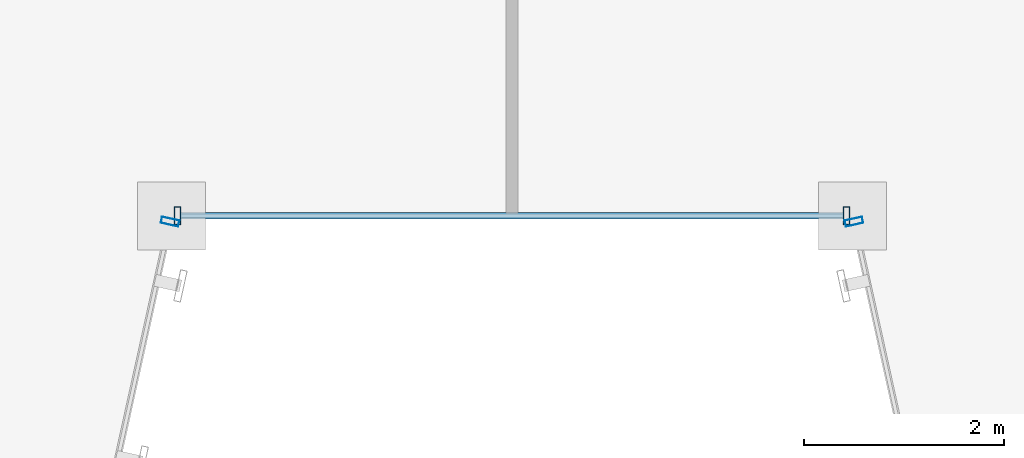
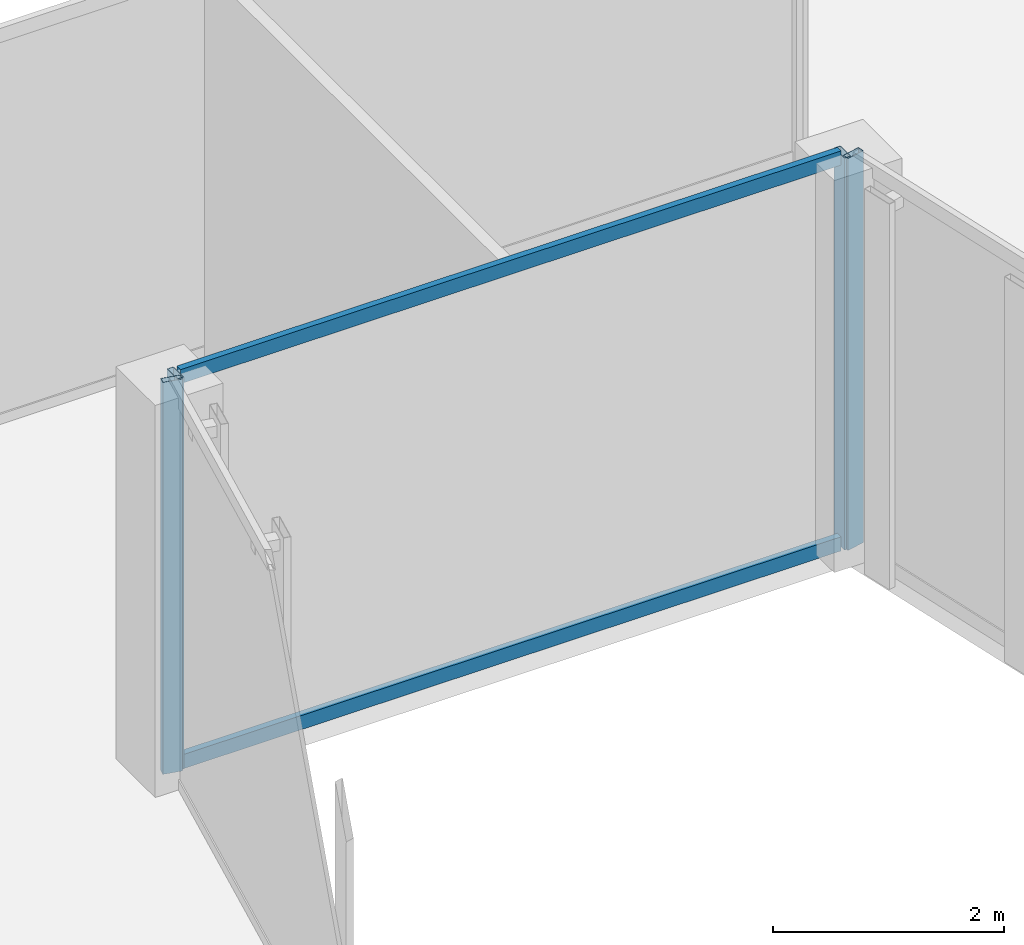
# One storey, part 9 of 47: 6 members, 3 elements without a shape of their own.
"""IFC4 building model written with IfcOpenShell, lengths in metres."""

from ifc_helpers import new_model, si_unit, direction, frame, origin, origin_2d, place, context, subcontext, project, spatial, hollow_rectangle, extrude, material, material_profile, profile_set, type_object, element, aggregate, save


model = new_model("IFC4")

# Units and contexts
model_context = context("Model", 3, precision=1e-05, world=origin(), true_north=direction((0.0, 1.0)))
body_context = subcontext(model_context, "Body", "Model", "MODEL_VIEW")
ifc_project = project(units=[si_unit("LENGTHUNIT", "METRE"), si_unit("AREAUNIT", "SQUARE_METRE"), si_unit("VOLUMEUNIT", "CUBIC_METRE"), si_unit("PLANEANGLEUNIT", "RADIAN"), si_unit("MASSUNIT", "GRAM", prefix="KILO")], contexts=[model_context])

# Site, building, storey
site_placement = place(None, origin())
site = spatial("IfcSite", under=ifc_project, at=site_placement, CompositionType="ELEMENT")
building_placement = place(site_placement, origin())
building = spatial("IfcBuilding", under=site, at=building_placement, Name="Saevonmaru Cultural Tower", CompositionType="ELEMENT")
storey_placement = place(building_placement, frame((0.0, 0.0, 42.800048828125)))
storey = spatial("IfcBuildingStorey", under=building, at=storey_placement, Name="L08", CompositionType="ELEMENT", Elevation=42.800048828125)

# Curtain wall, member
ifc_material = material(Name="Satin Bronze Anodised Aluminium", Category="aluminium")
curtain_wall_type = type_object("IfcCurtainWallType", Name="CW-TYP-A", PredefinedType="NOTDEFINED", material=ifc_material)
curtain_wall_1_placement = place(storey_placement, origin())
curtain_wall_1 = element("IfcCurtainWall", 1, at=curtain_wall_1_placement, inside=storey, type_object=curtain_wall_type, Name="L08 Unitised Curtain Wall E3", PredefinedType="NOTDEFINED")
ifc_material_profile_1 = material_profile(ifc_material, hollow_rectangle(XDim=0.06494140625, YDim=0.179931640625, WallThickness=0.00390625, at=origin_2d()), Name="ALU-MULL-180x65x4")
ifc_profile_set_1 = profile_set([ifc_material_profile_1], Name="Satin Bronze Anodised Aluminium")
member_type_1 = type_object("IfcMemberType", Name="ML-CW-180x65", PredefinedType="MULLION", material=ifc_profile_set_1)
member_1_placement = place(storey_placement, frame((26.587158203125, 15.54150390625, 0.0), z_axis=(0.0, 0.0, 1.0), x_axis=(0.215413319953, 0.976522965212, 0.0)))
member_1 = element("IfcMember", 2, at=member_1_placement, type_object=member_type_1, Name="CW-TW-L08-E3 mullion 2", PredefinedType="MULLION", context=body_context, shape_type="SweptSolid", body=[
    extrude(hollow_rectangle(XDim=0.06494140625, YDim=0.179931640625, WallThickness=0.00390625, at=origin_2d()), origin(), (0.0, 0.0, 1.0), 4.14990234375),
])
aggregate(curtain_wall_1, [member_1])

# Curtain wall, members
curtain_wall_2_placement = place(storey_placement, origin())
curtain_wall_2 = element("IfcCurtainWall", 3, at=curtain_wall_2_placement, inside=storey, type_object=curtain_wall_type, Name="L08 Unitised Curtain Wall E4", PredefinedType="NOTDEFINED")
member_2_placement = place(storey_placement, frame((26.659912109375, 15.60009765625, 0.0), z_axis=(0.0, 0.0, 1.0), x_axis=(1.0, 0.0, 0.0)))
member_2 = element("IfcMember", 4, at=member_2_placement, type_object=member_type_1, Name="CW-TW-L08-E4 mullion 1", PredefinedType="MULLION", context=body_context, shape_type="SweptSolid", body=[
    extrude(hollow_rectangle(XDim=0.06494140625, YDim=0.179931640625, WallThickness=0.00390625, at=origin_2d()), origin(), (0.0, 0.0, 1.0), 4.14990234375),
])
member_3_placement = place(storey_placement, frame((33.340087890625, 15.60009765625, 0.0), z_axis=(0.0, 0.0, 1.0), x_axis=(1.0, 0.0, 0.0)))
member_3 = element("IfcMember", 5, at=member_3_placement, type_object=member_type_1, Name="CW-TW-L08-E4 mullion 2", PredefinedType="MULLION", context=body_context, shape_type="SweptSolid", body=[
    extrude(hollow_rectangle(XDim=0.06494140625, YDim=0.179931640625, WallThickness=0.00390625, at=origin_2d()), origin(), (0.0, 0.0, 1.0), 4.14990234375),
])

# Curtain wall, member
curtain_wall_3_placement = place(storey_placement, origin())
curtain_wall_3 = element("IfcCurtainWall", 6, at=curtain_wall_3_placement, inside=storey, type_object=curtain_wall_type, Name="L08 Unitised Curtain Wall E5", PredefinedType="NOTDEFINED")
member_4_placement = place(storey_placement, frame((33.412841796875, 15.54150390625, 0.0), z_axis=(0.0, 0.0, 1.0), x_axis=(0.215413319953, -0.976522965212, 0.0)))
member_4 = element("IfcMember", 7, at=member_4_placement, type_object=member_type_1, Name="CW-TW-L08-E5 mullion 1", PredefinedType="MULLION", context=body_context, shape_type="SweptSolid", body=[
    extrude(hollow_rectangle(XDim=0.06494140625, YDim=0.179931640625, WallThickness=0.00390625, at=origin_2d()), origin(), (0.0, 0.0, 1.0), 4.14990234375),
])
aggregate(curtain_wall_3, [member_4])

# Member
ifc_material_profile_2 = material_profile(ifc_material, hollow_rectangle(XDim=0.06494140625, YDim=0.14990234375, WallThickness=0.00390625, at=origin_2d()), Name="ALU-TRAN-150x65x4")
ifc_profile_set_2 = profile_set([ifc_material_profile_2], Name="Satin Bronze Anodised Aluminium")
member_type_2 = type_object("IfcMemberType", Name="TR-CW-150x65", PredefinedType="USERDEFINED", material=ifc_profile_set_2)
member_5_placement = place(storey_placement, frame((26.6923828125, 15.60009765625, 0.032470703125), z_axis=(1.0, 0.0, 0.0), x_axis=(0.0, 1.0, 0.0)))
member_5 = element("IfcMember", 8, at=member_5_placement, type_object=member_type_2, Name="CW-TW-L08-E4 transom 1.1", ObjectType="TRANSOM", PredefinedType="USERDEFINED", context=body_context, shape_type="SweptSolid", body=[
    extrude(hollow_rectangle(XDim=0.06494140625, YDim=0.14990234375, WallThickness=0.00390625, at=origin_2d()), origin(), (0.0, 0.0, 1.0), 6.615234375),
])

member_6_placement = place(storey_placement, frame((26.6923828125, 15.60009765625, 4.117431640625), z_axis=(1.0, 0.0, 0.0), x_axis=(0.0, 1.0, 0.0)))
member_6 = element("IfcMember", 9, at=member_6_placement, type_object=member_type_2, Name="CW-TW-L08-E4 transom 1.2", ObjectType="TRANSOM", PredefinedType="USERDEFINED", context=body_context, shape_type="SweptSolid", body=[
    extrude(hollow_rectangle(XDim=0.06494140625, YDim=0.14990234375, WallThickness=0.00390625, at=origin_2d()), origin(), (0.0, 0.0, 1.0), 6.615234375),
])

aggregate(curtain_wall_2, [member_2, member_3, member_5, member_6])

save(model, "model.ifc")
